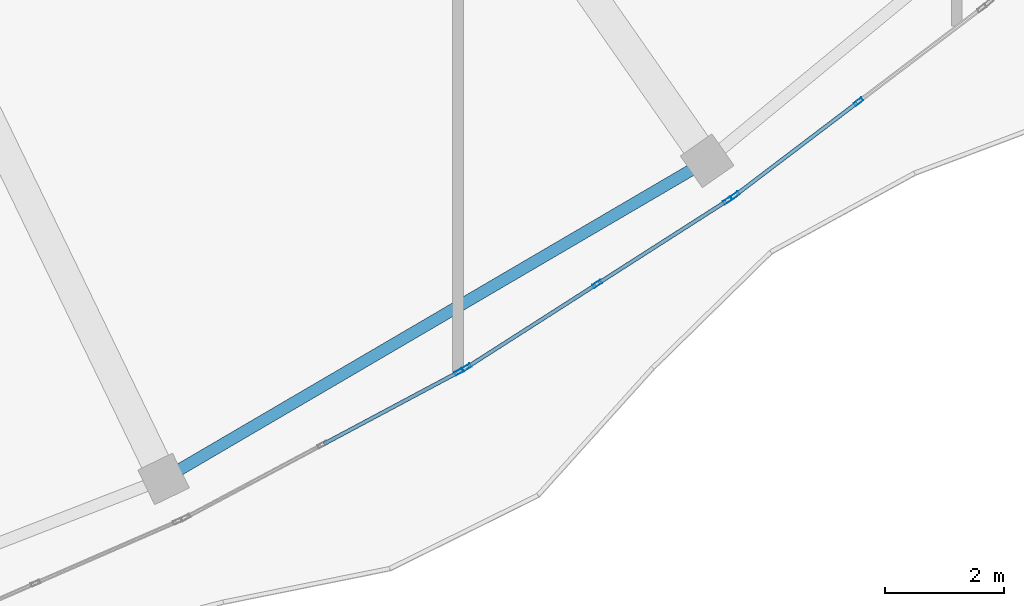
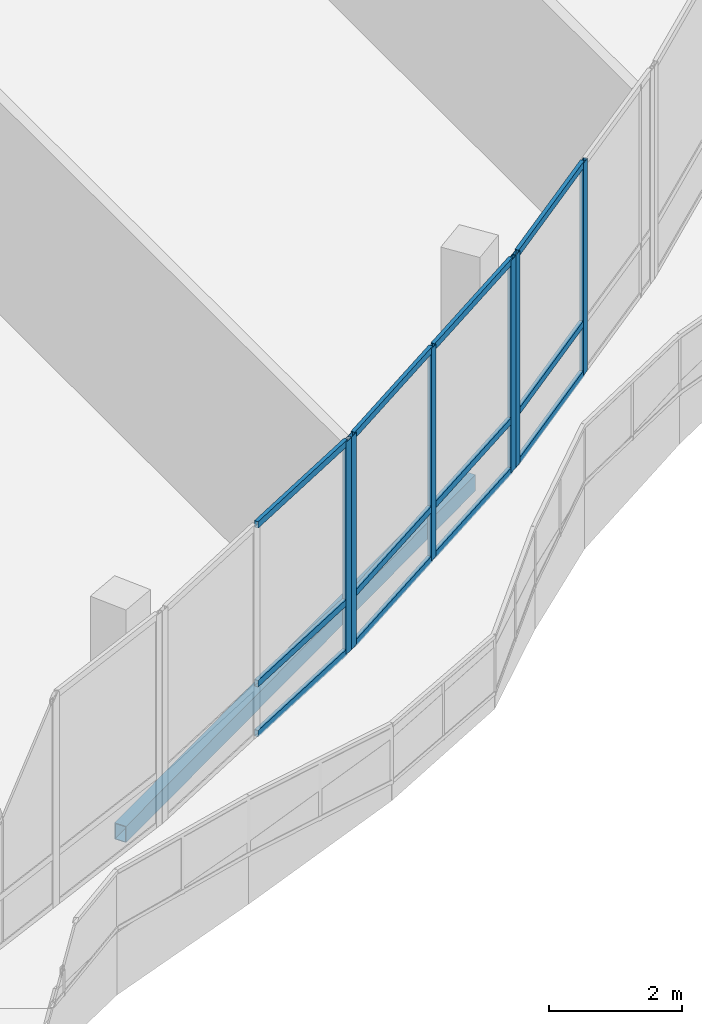
# One storey, part 48 of 184: 18 members, 1 beam, 3 elements without a shape of their own.
"""IFC4 building model written with IfcOpenShell, lengths in metres."""

from ifc_helpers import new_model, si_unit, direction, frame, origin, origin_2d, place, context, subcontext, project, spatial, hollow_rectangle, extrude, material, material_profile, profile_set, type_object, element, aggregate, save


model = new_model("IFC4")

# Units and contexts
model_context = context("Model", 3, precision=1e-05, world=origin(), true_north=direction((0.0, 1.0)))
body_context = subcontext(model_context, "Body", "Model", "MODEL_VIEW")
ifc_project = project(units=[si_unit("LENGTHUNIT", "METRE"), si_unit("AREAUNIT", "SQUARE_METRE"), si_unit("VOLUMEUNIT", "CUBIC_METRE"), si_unit("PLANEANGLEUNIT", "RADIAN"), si_unit("MASSUNIT", "GRAM", prefix="KILO")], contexts=[model_context])

# Site, building, storey
site_placement = place(None, origin())
site = spatial("IfcSite", under=ifc_project, at=site_placement, CompositionType="ELEMENT")
building_placement = place(site_placement, origin())
building = spatial("IfcBuilding", under=site, at=building_placement, Name="Selatvlak General Hospital", CompositionType="ELEMENT")
storey_placement = place(building_placement, frame((0.0, 0.0, 15.0)))
storey = spatial("IfcBuildingStorey", under=building, at=storey_placement, Name="L03", CompositionType="ELEMENT", Elevation=15.0)

# Beam
ifc_material_1 = material(Name="Steel S355", Category="steel")
ifc_material_profile_1 = material_profile(ifc_material_1, hollow_rectangle(XDim=0.199951171875, YDim=0.300048828125, WallThickness=0.011962890625, at=origin_2d()), Name="RHS 300x200x12")
ifc_profile_set_1 = profile_set([ifc_material_profile_1], Name="Steel S355")
beam_type = type_object("IfcBeamType", Name="BM-SP3", PredefinedType="SPANDREL", material=ifc_profile_set_1)
beam_placement = place(storey_placement, frame((85.0439453125, 19.39990234375, -0.489990234375), z_axis=(0.862997086305, 0.505208896427, 0.0), x_axis=(-0.505208896427, 0.862997086305, 0.0)))
element("IfcBeam", 1, at=beam_placement, inside=storey, type_object=beam_type, Name="Beam BMR-L03-1496", PredefinedType="SPANDREL", context=body_context, shape_type="SweptSolid", body=[
    extrude(hollow_rectangle(XDim=0.199951171875, YDim=0.300048828125, WallThickness=0.011962890625, at=origin_2d()), origin(), (0.0, 0.0, 1.0), 10.60400390625),
])

# Curtain wall, members
ifc_material_2 = material(Name="Solar-control Low-E double glazing", Category="glass")
curtain_wall_type_1 = type_object("IfcCurtainWallType", Name="CW-CW-01", PredefinedType="USERDEFINED", material=ifc_material_2)
curtain_wall_1_placement = place(storey_placement, origin())
curtain_wall_1 = element("IfcCurtainWall", 2, at=curtain_wall_1_placement, inside=storey, type_object=curtain_wall_type_1, Name="Glazed facade curtain wall CW-L03-0419", ObjectType="UNITISED CURTAIN WALL", PredefinedType="USERDEFINED")
ifc_material_3 = material(Name="Dark anodised aluminium mullion", Category="aluminium")
ifc_material_profile_2 = material_profile(ifc_material_3, hollow_rectangle(XDim=0.06494140625, YDim=0.159912109375, WallThickness=0.00390625, at=origin_2d()), Name="AL-MUL 65x160x4")
ifc_profile_set_2 = profile_set([ifc_material_profile_2], Name="Dark anodised aluminium mullion")
member_type_1 = type_object("IfcMemberType", Name="CWM-01", PredefinedType="MULLION", material=ifc_profile_set_2)
member_1_placement = place(storey_placement, frame((96.742919921875, 25.75048828125, 0.0), z_axis=(0.0, 0.0, 1.0), x_axis=(0.60458927489, -0.796537386874, 0.0)))
member_1 = element("IfcMember", 3, at=member_1_placement, type_object=member_type_1, Name="CW-01 mullion 2", PredefinedType="MULLION", context=body_context, shape_type="SweptSolid", body=[
    extrude(hollow_rectangle(XDim=0.06494140625, YDim=0.159912109375, WallThickness=0.00390625, at=origin_2d()), origin(), (0.0, 0.0, 1.0), 3.89501953125),
])
member_2_placement = place(storey_placement, frame((94.662841796875, 24.171630859375, 0.0), z_axis=(0.0, 0.0, 1.0), x_axis=(0.60458927489, -0.796537386874, 0.0)))
member_2 = element("IfcMember", 4, at=member_2_placement, type_object=member_type_1, Name="CW-01 mullion 3", PredefinedType="MULLION", context=body_context, shape_type="SweptSolid", body=[
    extrude(hollow_rectangle(XDim=0.06494140625, YDim=0.159912109375, WallThickness=0.00390625, at=origin_2d()), origin(), (0.0, 0.0, 1.0), 3.89501953125),
])

curtain_wall_type_2 = type_object("IfcCurtainWallType", Name="CW-CW-02", PredefinedType="USERDEFINED", material=ifc_material_2)
curtain_wall_2_placement = place(storey_placement, origin())
curtain_wall_2 = element("IfcCurtainWall", 5, at=curtain_wall_2_placement, inside=storey, type_object=curtain_wall_type_2, Name="Glazed facade curtain wall CW-L03-0420", ObjectType="UNITISED CURTAIN WALL", PredefinedType="USERDEFINED")
member_3_placement = place(storey_placement, frame((94.542724609375, 24.090576171875, 0.0), z_axis=(0.0, 0.0, 1.0), x_axis=(0.539064431086, -0.842264530381, 0.0)))
member_3 = element("IfcMember", 6, at=member_3_placement, type_object=member_type_1, Name="CW-02 mullion 1", PredefinedType="MULLION", context=body_context, shape_type="SweptSolid", body=[
    extrude(hollow_rectangle(XDim=0.06494140625, YDim=0.159912109375, WallThickness=0.00390625, at=origin_2d()), origin(), (0.0, 0.0, 1.0), 3.89501953125),
])
member_4_placement = place(storey_placement, frame((92.343505859375, 22.68310546875, 0.0), z_axis=(0.0, 0.0, 1.0), x_axis=(0.539064431086, -0.842264530381, 0.0)))
member_4 = element("IfcMember", 7, at=member_4_placement, type_object=member_type_1, Name="CW-02 mullion 2", PredefinedType="MULLION", context=body_context, shape_type="SweptSolid", body=[
    extrude(hollow_rectangle(XDim=0.06494140625, YDim=0.159912109375, WallThickness=0.00390625, at=origin_2d()), origin(), (0.0, 0.0, 1.0), 3.89501953125),
])
member_5_placement = place(storey_placement, frame((90.144287109375, 21.275634765625, 0.0), z_axis=(0.0, 0.0, 1.0), x_axis=(0.539064431086, -0.842264530381, 0.0)))
member_5 = element("IfcMember", 8, at=member_5_placement, type_object=member_type_1, Name="CW-02 mullion 3", PredefinedType="MULLION", context=body_context, shape_type="SweptSolid", body=[
    extrude(hollow_rectangle(XDim=0.06494140625, YDim=0.159912109375, WallThickness=0.00390625, at=origin_2d()), origin(), (0.0, 0.0, 1.0), 3.89501953125),
])

# Curtain wall, member
curtain_wall_3_placement = place(storey_placement, origin())
curtain_wall_3 = element("IfcCurtainWall", 9, at=curtain_wall_3_placement, inside=storey, type_object=curtain_wall_type_1, Name="Glazed facade curtain wall CW-L03-0421", ObjectType="UNITISED CURTAIN WALL", PredefinedType="USERDEFINED")
member_6_placement = place(storey_placement, frame((90.018310546875, 21.20361328125, 0.0), z_axis=(0.0, 0.0, 1.0), x_axis=(0.470450719515, -0.882426269162, 0.0)))
member_6 = element("IfcMember", 10, at=member_6_placement, type_object=member_type_1, Name="CW-01 mullion 1", PredefinedType="MULLION", context=body_context, shape_type="SweptSolid", body=[
    extrude(hollow_rectangle(XDim=0.06494140625, YDim=0.159912109375, WallThickness=0.00390625, at=origin_2d()), origin(), (0.0, 0.0, 1.0), 3.89501953125),
])

# Member
ifc_material_profile_3 = material_profile(ifc_material_3, hollow_rectangle(XDim=0.06494140625, YDim=0.1201171875, WallThickness=0.00390625, at=origin_2d()), Name="AL-TRN 65x120x4")
ifc_profile_set_3 = profile_set([ifc_material_profile_3], Name="Dark anodised aluminium mullion")
member_type_2 = type_object("IfcMemberType", Name="CWT-01", PredefinedType="USERDEFINED", material=ifc_profile_set_3)
member_7_placement = place(storey_placement, frame((96.717041015625, 25.73095703125, 0.032470703125), z_axis=(-0.796535238332, -0.604592105552, 0.0), x_axis=(0.604592105552, -0.796535238332, 0.0)))
member_7 = element("IfcMember", 11, at=member_7_placement, type_object=member_type_2, Name="CW-01 transom 2.1", ObjectType="TRANSOM", PredefinedType="USERDEFINED", context=body_context, shape_type="SweptSolid", body=[
    extrude(hollow_rectangle(XDim=0.06494140625, YDim=0.1201171875, WallThickness=0.00390625, at=origin_2d()), origin(), (0.0, 0.0, 1.0), 2.54638671875),
])

member_8_placement = place(storey_placement, frame((96.717041015625, 25.73095703125, 0.949951171875), z_axis=(-0.796535238332, -0.604592105552, 0.0), x_axis=(0.604592105552, -0.796535238332, 0.0)))
member_8 = element("IfcMember", 12, at=member_8_placement, type_object=member_type_2, Name="CW-01 transom 2.2", ObjectType="TRANSOM", PredefinedType="USERDEFINED", context=body_context, shape_type="SweptSolid", body=[
    extrude(hollow_rectangle(XDim=0.06494140625, YDim=0.1201171875, WallThickness=0.00390625, at=origin_2d()), origin(), (0.0, 0.0, 1.0), 2.54638671875),
])

member_9_placement = place(storey_placement, frame((96.717041015625, 25.73095703125, 3.862548828125), z_axis=(-0.796535238332, -0.604592105552, 0.0), x_axis=(0.604592105552, -0.796535238332, 0.0)))
member_9 = element("IfcMember", 13, at=member_9_placement, type_object=member_type_2, Name="CW-01 transom 2.3", ObjectType="TRANSOM", PredefinedType="USERDEFINED", context=body_context, shape_type="SweptSolid", body=[
    extrude(hollow_rectangle(XDim=0.06494140625, YDim=0.1201171875, WallThickness=0.00390625, at=origin_2d()), origin(), (0.0, 0.0, 1.0), 2.54638671875),
])

aggregate(curtain_wall_1, [member_1, member_2, member_7, member_8, member_9])

member_10_placement = place(storey_placement, frame((94.51513671875, 24.072998046875, 0.032470703125), z_axis=(-0.842233084651, -0.539113560504, 0.0), x_axis=(0.539113560504, -0.842233084651, 0.0)))
member_10 = element("IfcMember", 14, at=member_10_placement, type_object=member_type_2, Name="CW-02 transom 1.1", ObjectType="TRANSOM", PredefinedType="USERDEFINED", context=body_context, shape_type="SweptSolid", body=[
    extrude(hollow_rectangle(XDim=0.06494140625, YDim=0.1201171875, WallThickness=0.00390625, at=origin_2d()), origin(), (0.0, 0.0, 1.0), 2.5458984375),
])

member_11_placement = place(storey_placement, frame((94.51513671875, 24.072998046875, 0.949951171875), z_axis=(-0.842233084651, -0.539113560504, 0.0), x_axis=(0.539113560504, -0.842233084651, 0.0)))
member_11 = element("IfcMember", 15, at=member_11_placement, type_object=member_type_2, Name="CW-02 transom 1.2", ObjectType="TRANSOM", PredefinedType="USERDEFINED", context=body_context, shape_type="SweptSolid", body=[
    extrude(hollow_rectangle(XDim=0.06494140625, YDim=0.1201171875, WallThickness=0.00390625, at=origin_2d()), origin(), (0.0, 0.0, 1.0), 2.5458984375),
])

member_12_placement = place(storey_placement, frame((94.51513671875, 24.072998046875, 3.862548828125), z_axis=(-0.842233084651, -0.539113560504, 0.0), x_axis=(0.539113560504, -0.842233084651, 0.0)))
member_12 = element("IfcMember", 16, at=member_12_placement, type_object=member_type_2, Name="CW-02 transom 1.3", ObjectType="TRANSOM", PredefinedType="USERDEFINED", context=body_context, shape_type="SweptSolid", body=[
    extrude(hollow_rectangle(XDim=0.06494140625, YDim=0.1201171875, WallThickness=0.00390625, at=origin_2d()), origin(), (0.0, 0.0, 1.0), 2.5458984375),
])

member_13_placement = place(storey_placement, frame((92.316162109375, 22.66552734375, 0.032470703125), z_axis=(-0.842260952106, -0.539070021942, 0.0), x_axis=(0.539070021942, -0.842260952106, 0.0)))
member_13 = element("IfcMember", 17, at=member_13_placement, type_object=member_type_2, Name="CW-02 transom 2.1", ObjectType="TRANSOM", PredefinedType="USERDEFINED", context=body_context, shape_type="SweptSolid", body=[
    extrude(hollow_rectangle(XDim=0.06494140625, YDim=0.1201171875, WallThickness=0.00390625, at=origin_2d()), origin(), (0.0, 0.0, 1.0), 2.546142578125),
])

member_14_placement = place(storey_placement, frame((92.316162109375, 22.66552734375, 0.949951171875), z_axis=(-0.842260952106, -0.539070021942, 0.0), x_axis=(0.539070021942, -0.842260952106, 0.0)))
member_14 = element("IfcMember", 18, at=member_14_placement, type_object=member_type_2, Name="CW-02 transom 2.2", ObjectType="TRANSOM", PredefinedType="USERDEFINED", context=body_context, shape_type="SweptSolid", body=[
    extrude(hollow_rectangle(XDim=0.06494140625, YDim=0.1201171875, WallThickness=0.00390625, at=origin_2d()), origin(), (0.0, 0.0, 1.0), 2.546142578125),
])

member_15_placement = place(storey_placement, frame((92.316162109375, 22.66552734375, 3.862548828125), z_axis=(-0.842260952106, -0.539070021942, 0.0), x_axis=(0.539070021942, -0.842260952106, 0.0)))
member_15 = element("IfcMember", 19, at=member_15_placement, type_object=member_type_2, Name="CW-02 transom 2.3", ObjectType="TRANSOM", PredefinedType="USERDEFINED", context=body_context, shape_type="SweptSolid", body=[
    extrude(hollow_rectangle(XDim=0.06494140625, YDim=0.1201171875, WallThickness=0.00390625, at=origin_2d()), origin(), (0.0, 0.0, 1.0), 2.546142578125),
])

aggregate(curtain_wall_2, [member_3, member_4, member_5, member_10, member_11, member_12, member_13, member_14, member_15])

member_16_placement = place(storey_placement, frame((89.98974609375, 21.1884765625, 0.032470703125), z_axis=(-0.882416668919, -0.470468726286, 0.0), x_axis=(0.470468726286, -0.882416668919, 0.0)))
member_16 = element("IfcMember", 20, at=member_16_placement, type_object=member_type_2, Name="CW-01 transom 1.1", ObjectType="TRANSOM", PredefinedType="USERDEFINED", context=body_context, shape_type="SweptSolid", body=[
    extrude(hollow_rectangle(XDim=0.06494140625, YDim=0.1201171875, WallThickness=0.00390625, at=origin_2d()), origin(), (0.0, 0.0, 1.0), 2.544921875),
])

member_17_placement = place(storey_placement, frame((89.98974609375, 21.1884765625, 0.949951171875), z_axis=(-0.882416668919, -0.470468726286, 0.0), x_axis=(0.470468726286, -0.882416668919, 0.0)))
member_17 = element("IfcMember", 21, at=member_17_placement, type_object=member_type_2, Name="CW-01 transom 1.2", ObjectType="TRANSOM", PredefinedType="USERDEFINED", context=body_context, shape_type="SweptSolid", body=[
    extrude(hollow_rectangle(XDim=0.06494140625, YDim=0.1201171875, WallThickness=0.00390625, at=origin_2d()), origin(), (0.0, 0.0, 1.0), 2.544921875),
])

member_18_placement = place(storey_placement, frame((89.98974609375, 21.1884765625, 3.862548828125), z_axis=(-0.882416668919, -0.470468726286, 0.0), x_axis=(0.470468726286, -0.882416668919, 0.0)))
member_18 = element("IfcMember", 22, at=member_18_placement, type_object=member_type_2, Name="CW-01 transom 1.3", ObjectType="TRANSOM", PredefinedType="USERDEFINED", context=body_context, shape_type="SweptSolid", body=[
    extrude(hollow_rectangle(XDim=0.06494140625, YDim=0.1201171875, WallThickness=0.00390625, at=origin_2d()), origin(), (0.0, 0.0, 1.0), 2.544921875),
])

aggregate(curtain_wall_3, [member_6, member_16, member_17, member_18])

save(model, "model.ifc")
